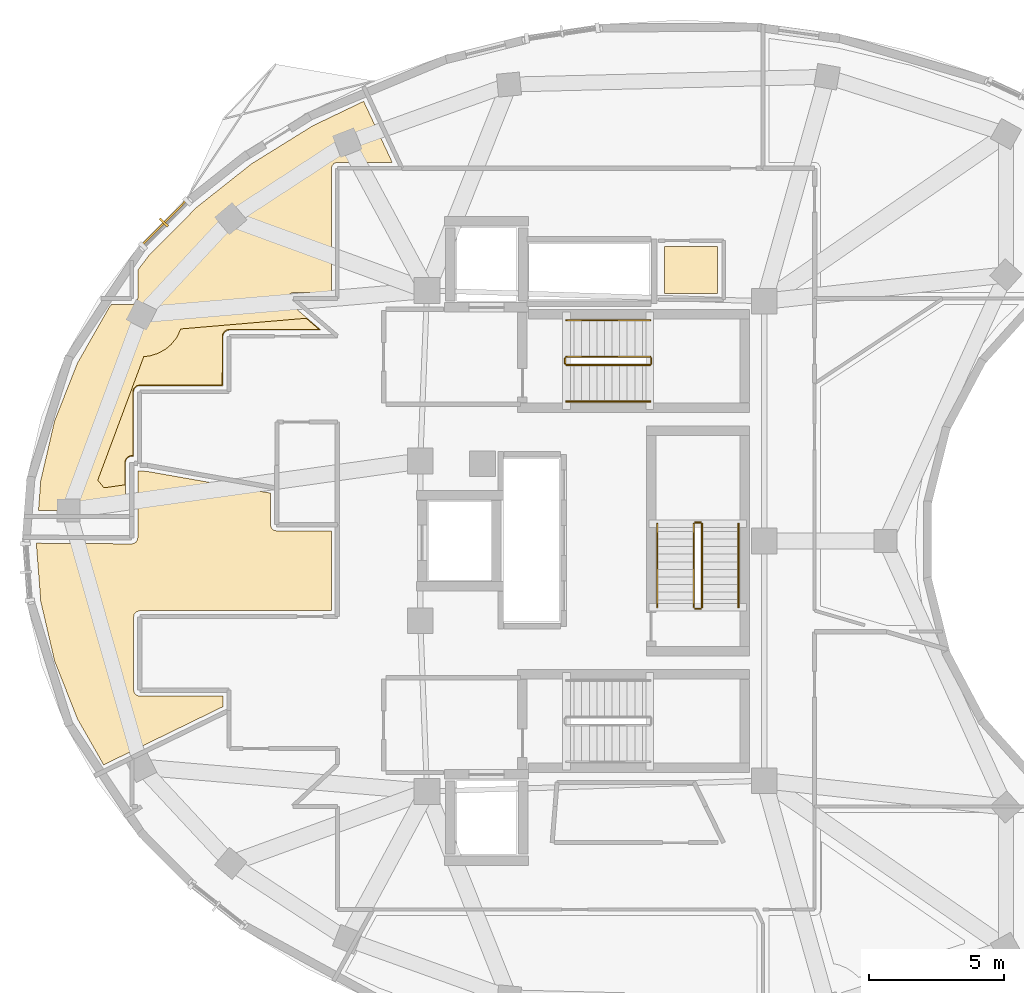
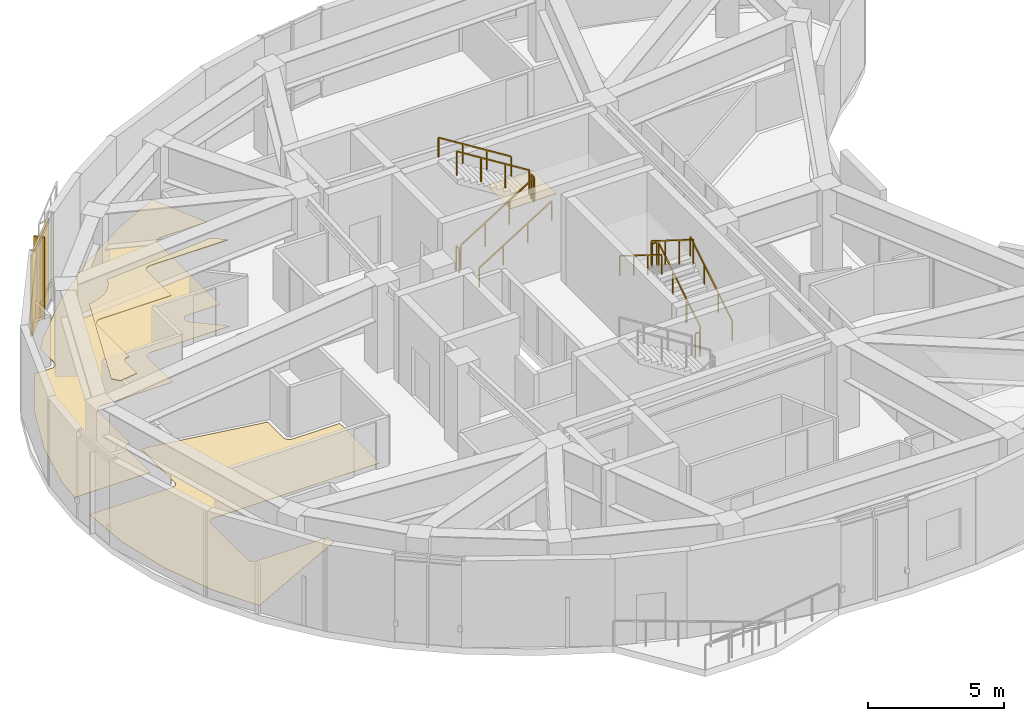
# One storey, part 11 of 12: 12 railings, 4 coverings, 2 shading devices.
"""IFC4 building model written with IfcOpenShell, lengths in metres."""

from ifc_helpers import new_model, si_unit, direction, frame, origin, origin_2d, place, context, subcontext, project, spatial, polyline, rectangle, outline, extrude, material, layer, layer_set, type_object, element, save


model = new_model("IFC4")

# Units and contexts
model_context = context("Model", 3, precision=1e-05, world=origin(), true_north=direction((0.0, 1.0)))
body_context = subcontext(model_context, "Body", "Model", "MODEL_VIEW")
ifc_project = project(units=[si_unit("LENGTHUNIT", "METRE"), si_unit("AREAUNIT", "SQUARE_METRE"), si_unit("VOLUMEUNIT", "CUBIC_METRE"), si_unit("PLANEANGLEUNIT", "RADIAN"), si_unit("MASSUNIT", "GRAM", prefix="KILO")], contexts=[model_context])

# Site, building, storey
site_placement = place(None, origin())
site = spatial("IfcSite", under=ifc_project, at=site_placement, CompositionType="ELEMENT")
building_placement = place(site_placement, origin())
building = spatial("IfcBuilding", under=site, at=building_placement, Name="Korentha Bioscience Tower", CompositionType="ELEMENT")
storey_placement = place(building_placement, frame((0.0, 0.0, 297.60009765625)))
storey = spatial("IfcBuildingStorey", under=building, at=storey_placement, Name="L68", CompositionType="ELEMENT", Elevation=297.60009765625)

# Covering
ifc_material_1 = material(Name="Vitrified Porcelain Tile", Category="ceramic")
ifc_layer_1 = layer(ifc_material_1, 0.014892578125, Name="Vitrified Porcelain Tile")
ifc_layer_set_1 = layer_set([ifc_layer_1], Name="Vitrified Porcelain Tile (FL-CER)")
covering_type_1 = type_object("IfcCoveringType", Name="Anti-Slip Ceramic Wet-Room Tile Flooring 15", PredefinedType="FLOORING", material=ifc_layer_set_1)
covering_1_placement = place(storey_placement, origin())
element("IfcCovering", 1, at=covering_1_placement, inside=storey, type_object=covering_type_1, Name="L68 Accessible Staff WC Floor Finish", PredefinedType="FLOORING", context=body_context, shape_type="SweptSolid", body=[
    extrude(outline(polyline([(33.8701171875, 36.1298828125), (33.8701171875, 37.8701171875), (35.830078125, 37.8701171875), (35.830078125, 36.1298828125), (33.8701171875, 36.1298828125)])), origin(), (0.0, 0.0, 1.0), 0.014892578125),
])

# Railings
ifc_material_2 = material(Name="Stainless Steel 304", Category="steel")
railing_type_1 = type_object("IfcRailingType", Name="Brushed Stainless Stair Handrail 900", PredefinedType="HANDRAIL", material=ifc_material_2)
railing_1_placement = place(storey_placement, frame((30.25, 32.14990234375, 0.1748046875)))
element("IfcRailing", 2, at=railing_1_placement, inside=storey, type_object=railing_type_1, Name="L68 ST-1 stair handrail 1", PredefinedType="HANDRAIL", context=body_context, shape_type="SweptSolid", body=[
    extrude(rectangle(XDim=0.048095703125, YDim=0.048095703125, at=origin_2d()), frame((0.0, 0.0, 0.8759765625), z_axis=(0.847998304005, 0.0, 0.529998940003), x_axis=(0.0, 1.0, 0.0)), (0.0, 0.0, 1.0), 3.632080078125),
    extrude(rectangle(XDim=0.0419921875, YDim=0.0419921875, at=origin_2d()), origin(), (0.0, 0.0, 1.0), 0.851806640625),
    extrude(rectangle(XDim=0.0419921875, YDim=0.0419921875, at=origin_2d()), frame((1.026611328125, 0.0, 0.6416015625)), (0.0, 0.0, 1.0), 0.851806640625),
    extrude(rectangle(XDim=0.0419921875, YDim=0.0419921875, at=origin_2d()), frame((2.053466796875, 0.0, 1.283447265625)), (0.0, 0.0, 1.0), 0.851806640625),
    extrude(rectangle(XDim=0.0419921875, YDim=0.0419921875, at=origin_2d()), frame((3.080078125, 0.0, 1.925048828125)), (0.0, 0.0, 1.0), 0.851806640625),
])
railing_2_placement = place(storey_placement, frame((33.330078125, 35.14990234375, 2.27490234375)))
element("IfcRailing", 3, at=railing_2_placement, inside=storey, type_object=railing_type_1, Name="L68 ST-1 stair handrail 2", PredefinedType="HANDRAIL", context=body_context, shape_type="SweptSolid", body=[
    extrude(rectangle(XDim=0.048095703125, YDim=0.048095703125, at=origin_2d()), frame((0.0, 0.0, 0.8759765625), z_axis=(-0.847998304005, 0.0, 0.529998940003), x_axis=(0.0, -1.0, 0.0)), (0.0, 0.0, 1.0), 3.632080078125),
    extrude(rectangle(XDim=0.0419921875, YDim=0.0419921875, at=origin_2d()), origin(), (0.0, 0.0, 1.0), 0.851806640625),
    extrude(rectangle(XDim=0.0419921875, YDim=0.0419921875, at=origin_2d()), frame((-1.026611328125, 0.0, 0.6416015625)), (0.0, 0.0, 1.0), 0.851806640625),
    extrude(rectangle(XDim=0.0419921875, YDim=0.0419921875, at=origin_2d()), frame((-2.053466796875, 0.0, 1.283447265625)), (0.0, 0.0, 1.0), 0.851806640625),
    extrude(rectangle(XDim=0.0419921875, YDim=0.0419921875, at=origin_2d()), frame((-3.080078125, 0.0, 1.925048828125)), (0.0, 0.0, 1.0), 0.851806640625),
])
railing_3_placement = place(storey_placement, frame((36.60009765625, 24.550048828125, 0.1748046875)))
element("IfcRailing", 4, at=railing_3_placement, inside=storey, type_object=railing_type_1, Name="L68 ST-3 stair handrail 1", PredefinedType="HANDRAIL", context=body_context, shape_type="SweptSolid", body=[
    extrude(rectangle(XDim=0.048095703125, YDim=0.048095703125, at=origin_2d()), frame((0.0, 0.0, 0.8759765625), z_axis=(0.0, 0.847979421464, 0.530029150871), x_axis=(-1.0, 0.0, 0.0)), (0.0, 0.0, 1.0), 3.632080078125),
    extrude(rectangle(XDim=0.0419921875, YDim=0.0419921875, at=origin_2d()), origin(), (0.0, 0.0, 1.0), 0.851806640625),
    extrude(rectangle(XDim=0.0419921875, YDim=0.0419921875, at=origin_2d()), frame((0.0, 1.026611328125, 0.6416015625)), (0.0, 0.0, 1.0), 0.851806640625),
    extrude(rectangle(XDim=0.0419921875, YDim=0.0419921875, at=origin_2d()), frame((0.0, 2.05322265625, 1.283447265625)), (0.0, 0.0, 1.0), 0.851806640625),
    extrude(rectangle(XDim=0.0419921875, YDim=0.0419921875, at=origin_2d()), frame((0.0, 3.079833984375, 1.925048828125)), (0.0, 0.0, 1.0), 0.851806640625),
])
railing_4_placement = place(storey_placement, frame((33.60009765625, 27.6298828125, 2.27490234375)))
element("IfcRailing", 5, at=railing_4_placement, inside=storey, type_object=railing_type_1, Name="L68 ST-3 stair handrail 2", PredefinedType="HANDRAIL", context=body_context, shape_type="SweptSolid", body=[
    extrude(rectangle(XDim=0.048095703125, YDim=0.048095703125, at=origin_2d()), frame((0.0, 0.0, 0.8759765625), z_axis=(0.0, -0.847979421464, 0.530029150871), x_axis=(1.0, 0.0, 0.0)), (0.0, 0.0, 1.0), 3.632080078125),
    extrude(rectangle(XDim=0.0419921875, YDim=0.0419921875, at=origin_2d()), origin(), (0.0, 0.0, 1.0), 0.851806640625),
    extrude(rectangle(XDim=0.0419921875, YDim=0.0419921875, at=origin_2d()), frame((0.0, -1.026611328125, 0.6416015625)), (0.0, 0.0, 1.0), 0.851806640625),
    extrude(rectangle(XDim=0.0419921875, YDim=0.0419921875, at=origin_2d()), frame((0.0, -2.05322265625, 1.283447265625)), (0.0, 0.0, 1.0), 0.851806640625),
    extrude(rectangle(XDim=0.0419921875, YDim=0.0419921875, at=origin_2d()), frame((0.0, -3.079833984375, 1.925048828125)), (0.0, 0.0, 1.0), 0.851806640625),
])

# Covering
ifc_material_3 = material(Name="Antimicrobial Mineral Fibre Board", Category="gypsum")
ifc_layer_2 = layer(ifc_material_3, 0.034912109375, Name="Antimicrobial Mineral Fibre Board")
ifc_layer_set_2 = layer_set([ifc_layer_2], Name="Antimicrobial Mineral Fibre Board (CL-MF35)")
covering_type_2 = type_object("IfcCoveringType", Name="Mineral-Fibre Cleanroom Suspended Ceiling 35", PredefinedType="CEILING", material=ifc_layer_set_2)
covering_2_placement = place(storey_placement, frame((0.0, 0.0, 3.864990234375)))
element("IfcCovering", 6, at=covering_2_placement, inside=storey, type_object=covering_type_2, Name="L68 PCR Amplification Cleanroom 11 Acoustic Ceiling", PredefinedType="CEILING", context=body_context, shape_type="SweptSolid", body=[
    extrude(outline(polyline([(17.7998046875, 34.81005859375), (17.7119140625, 34.794677734375), (17.625732421875, 34.742919921875), (17.565185546875, 34.66162109375), (17.542724609375, 34.587646484375), (17.5400390625, 32.760009765625), (14.48779296875, 32.759765625), (14.388427734375, 32.73486328125), (14.29150390625, 32.6552734375), (14.2548828125, 32.587158203125), (14.239990234375, 32.5), (14.239990234375, 30.1494140625), (14.158935546875, 30.1484375), (14.065185546875, 30.113037109375), (13.99169921875, 30.044921875), (13.94970703125, 29.955078125), (13.94189453125, 29.0712890625), (13.174072265625, 28.96337890625), (12.9453125, 29.2431640625), (14.643310546875, 33.805419921875), (14.859375, 33.830810546875), (15.150146484375, 33.919189453125), (15.418212890625, 34.062255859375), (15.540283203125, 34.15283203125), (15.653076171875, 34.255126953125), (15.845703125, 34.489990234375), (16.01416015625, 34.827880859375), (20.635498046875, 35.221923828125), (21.114501953125, 34.811279296875), (17.7998046875, 34.81005859375)])), origin(), (0.0, 0.0, 1.0), 0.034912109375),
])

# Railings
ifc_material_4 = material(Name="Painted Steel S275", Category="steel")
railing_type_2 = type_object("IfcRailingType", Name="Painted Steel Stair Well Guardrail 1100", PredefinedType="GUARDRAIL", material=ifc_material_4)
railing_5_placement = place(storey_placement, frame((30.25, 33.5, 0.1748046875)))
element("IfcRailing", 7, at=railing_5_placement, inside=storey, type_object=railing_type_2, Name="L68 ST-1 stair guard 1", PredefinedType="GUARDRAIL", context=body_context, shape_type="SweptSolid", body=[
    extrude(rectangle(XDim=0.048095703125, YDim=0.048095703125, at=origin_2d()), frame((0.0, 0.0, 1.076171875), z_axis=(0.847998304005, 0.0, 0.529998940003), x_axis=(0.0, 1.0, 0.0)), (0.0, 0.0, 1.0), 3.632080078125),
    extrude(rectangle(XDim=0.0419921875, YDim=0.0419921875, at=origin_2d()), origin(), (0.0, 0.0, 1.0), 1.052001953125),
    extrude(rectangle(XDim=0.0419921875, YDim=0.0419921875, at=origin_2d()), frame((1.026611328125, 0.0, 0.6416015625)), (0.0, 0.0, 1.0), 1.052001953125),
    extrude(rectangle(XDim=0.0419921875, YDim=0.0419921875, at=origin_2d()), frame((2.053466796875, 0.0, 1.283447265625)), (0.0, 0.0, 1.0), 1.052001953125),
    extrude(rectangle(XDim=0.0419921875, YDim=0.0419921875, at=origin_2d()), frame((3.080078125, 0.0, 1.925048828125)), (0.0, 0.0, 1.0), 1.052001953125),
])
railing_6_placement = place(storey_placement, frame((33.3798828125, 33.550048828125, 2.099853515625)))
element("IfcRailing", 8, at=railing_6_placement, inside=storey, type_object=railing_type_2, Name="L68 ST-1 stair guard 2", PredefinedType="GUARDRAIL", context=body_context, shape_type="SweptSolid", body=[
    extrude(rectangle(XDim=0.048095703125, YDim=0.048095703125, at=origin_2d()), frame((0.0, 0.0, 1.076171875), z_axis=(0.0, 1.0, 0.0), x_axis=(-1.0, 0.0, 0.0)), (0.0, 0.0, 1.0), 0.199951171875),
    extrude(rectangle(XDim=0.0419921875, YDim=0.0419921875, at=origin_2d()), origin(), (0.0, 0.0, 1.0), 1.052001953125),
    extrude(rectangle(XDim=0.0419921875, YDim=0.0419921875, at=origin_2d()), frame((0.0, 0.199951171875, 0.0)), (0.0, 0.0, 1.0), 1.052001953125),
])
railing_7_placement = place(storey_placement, frame((33.330078125, 33.800048828125, 2.27490234375)))
element("IfcRailing", 9, at=railing_7_placement, inside=storey, type_object=railing_type_2, Name="L68 ST-1 stair guard 3", PredefinedType="GUARDRAIL", context=body_context, shape_type="SweptSolid", body=[
    extrude(rectangle(XDim=0.048095703125, YDim=0.048095703125, at=origin_2d()), frame((0.0, 0.0, 1.076171875), z_axis=(-0.847998304005, 0.0, 0.529998940003), x_axis=(0.0, -1.0, 0.0)), (0.0, 0.0, 1.0), 3.632080078125),
    extrude(rectangle(XDim=0.0419921875, YDim=0.0419921875, at=origin_2d()), origin(), (0.0, 0.0, 1.0), 1.052001953125),
    extrude(rectangle(XDim=0.0419921875, YDim=0.0419921875, at=origin_2d()), frame((-1.026611328125, 0.0, 0.6416015625)), (0.0, 0.0, 1.0), 1.052001953125),
    extrude(rectangle(XDim=0.0419921875, YDim=0.0419921875, at=origin_2d()), frame((-2.053466796875, 0.0, 1.283447265625)), (0.0, 0.0, 1.0), 1.052001953125),
    extrude(rectangle(XDim=0.0419921875, YDim=0.0419921875, at=origin_2d()), frame((-3.080078125, 0.0, 1.925048828125)), (0.0, 0.0, 1.0), 1.052001953125),
])
railing_8_placement = place(storey_placement, frame((30.199951171875, 33.550048828125, 0.0)))
element("IfcRailing", 10, at=railing_8_placement, inside=storey, type_object=railing_type_2, Name="L68 ST-1 stair guard 4", PredefinedType="GUARDRAIL", context=body_context, shape_type="SweptSolid", body=[
    extrude(rectangle(XDim=0.048095703125, YDim=0.048095703125, at=origin_2d()), frame((0.0, 0.0, 1.076171875), z_axis=(0.0, 1.0, 0.0), x_axis=(-1.0, 0.0, 0.0)), (0.0, 0.0, 1.0), 0.199951171875),
    extrude(rectangle(XDim=0.0419921875, YDim=0.0419921875, at=origin_2d()), origin(), (0.0, 0.0, 1.0), 1.052001953125),
    extrude(rectangle(XDim=0.0419921875, YDim=0.0419921875, at=origin_2d()), frame((0.0, 0.199951171875, 0.0)), (0.0, 0.0, 1.0), 1.052001953125),
])
railing_9_placement = place(storey_placement, frame((35.25, 24.550048828125, 0.1748046875)))
element("IfcRailing", 11, at=railing_9_placement, inside=storey, type_object=railing_type_2, Name="L68 ST-3 stair guard 1", PredefinedType="GUARDRAIL", context=body_context, shape_type="SweptSolid", body=[
    extrude(rectangle(XDim=0.048095703125, YDim=0.048095703125, at=origin_2d()), frame((0.0, 0.0, 1.076171875), z_axis=(0.0, 0.847979421464, 0.530029150871), x_axis=(-1.0, 0.0, 0.0)), (0.0, 0.0, 1.0), 3.632080078125),
    extrude(rectangle(XDim=0.0419921875, YDim=0.0419921875, at=origin_2d()), origin(), (0.0, 0.0, 1.0), 1.052001953125),
    extrude(rectangle(XDim=0.0419921875, YDim=0.0419921875, at=origin_2d()), frame((0.0, 1.026611328125, 0.6416015625)), (0.0, 0.0, 1.0), 1.052001953125),
    extrude(rectangle(XDim=0.0419921875, YDim=0.0419921875, at=origin_2d()), frame((0.0, 2.05322265625, 1.283447265625)), (0.0, 0.0, 1.0), 1.052001953125),
    extrude(rectangle(XDim=0.0419921875, YDim=0.0419921875, at=origin_2d()), frame((0.0, 3.079833984375, 1.925048828125)), (0.0, 0.0, 1.0), 1.052001953125),
])
railing_10_placement = place(storey_placement, frame((35.199951171875, 27.679931640625, 2.099853515625)))
element("IfcRailing", 12, at=railing_10_placement, inside=storey, type_object=railing_type_2, Name="L68 ST-3 stair guard 2", PredefinedType="GUARDRAIL", context=body_context, shape_type="SweptSolid", body=[
    extrude(rectangle(XDim=0.048095703125, YDim=0.048095703125, at=origin_2d()), frame((0.0, 0.0, 1.076171875), z_axis=(-1.0, 0.0, 0.0), x_axis=(0.0, -1.0, 0.0)), (0.0, 0.0, 1.0), 0.199951171875),
    extrude(rectangle(XDim=0.0419921875, YDim=0.0419921875, at=origin_2d()), origin(), (0.0, 0.0, 1.0), 1.052001953125),
    extrude(rectangle(XDim=0.0419921875, YDim=0.0419921875, at=origin_2d()), frame((-0.199951171875, 0.0, 0.0)), (0.0, 0.0, 1.0), 1.052001953125),
])
railing_11_placement = place(storey_placement, frame((34.949951171875, 27.6298828125, 2.27490234375)))
element("IfcRailing", 13, at=railing_11_placement, inside=storey, type_object=railing_type_2, Name="L68 ST-3 stair guard 3", PredefinedType="GUARDRAIL", context=body_context, shape_type="SweptSolid", body=[
    extrude(rectangle(XDim=0.048095703125, YDim=0.048095703125, at=origin_2d()), frame((0.0, 0.0, 1.076171875), z_axis=(0.0, -0.847979421464, 0.530029150871), x_axis=(1.0, 0.0, 0.0)), (0.0, 0.0, 1.0), 3.632080078125),
    extrude(rectangle(XDim=0.0419921875, YDim=0.0419921875, at=origin_2d()), origin(), (0.0, 0.0, 1.0), 1.052001953125),
    extrude(rectangle(XDim=0.0419921875, YDim=0.0419921875, at=origin_2d()), frame((0.0, -1.026611328125, 0.6416015625)), (0.0, 0.0, 1.0), 1.052001953125),
    extrude(rectangle(XDim=0.0419921875, YDim=0.0419921875, at=origin_2d()), frame((0.0, -2.05322265625, 1.283447265625)), (0.0, 0.0, 1.0), 1.052001953125),
    extrude(rectangle(XDim=0.0419921875, YDim=0.0419921875, at=origin_2d()), frame((0.0, -3.079833984375, 1.925048828125)), (0.0, 0.0, 1.0), 1.052001953125),
])
railing_12_placement = place(storey_placement, frame((35.199951171875, 24.5, 0.0)))
element("IfcRailing", 14, at=railing_12_placement, inside=storey, type_object=railing_type_2, Name="L68 ST-3 stair guard 4", PredefinedType="GUARDRAIL", context=body_context, shape_type="SweptSolid", body=[
    extrude(rectangle(XDim=0.048095703125, YDim=0.048095703125, at=origin_2d()), frame((0.0, 0.0, 1.076171875), z_axis=(-1.0, 0.0, 0.0), x_axis=(0.0, -1.0, 0.0)), (0.0, 0.0, 1.0), 0.199951171875),
    extrude(rectangle(XDim=0.0419921875, YDim=0.0419921875, at=origin_2d()), origin(), (0.0, 0.0, 1.0), 1.052001953125),
    extrude(rectangle(XDim=0.0419921875, YDim=0.0419921875, at=origin_2d()), frame((-0.199951171875, 0.0, 0.0)), (0.0, 0.0, 1.0), 1.052001953125),
])

# Shading device
ifc_material_5 = material(Name="Perforated Stone-Ceramic Composite", Category="masonry")
ifc_layer_3 = layer(ifc_material_5, 0.06494140625, Name="Perforated Stone-Ceramic Composite")
ifc_layer_set_3 = layer_set([ifc_layer_3], Name="Perforated Stone-Ceramic Composite (CS-01)")
shading_device_type_1 = type_object("IfcShadingDeviceType", Name="Perforated Stone-Ceramic Solar Screen Panel 65", PredefinedType="USERDEFINED", material=ifc_layer_set_3)
shading_device_1_placement = place(storey_placement, frame((15.397216796875, 38.748779296875, 0.0), z_axis=(0.0, 0.0, 1.0), x_axis=(-0.703813123431, -0.710385168262, 0.0)))
element("IfcShadingDevice", 15, at=shading_device_1_placement, inside=storey, type_object=shading_device_type_1, Name="CW-L68-13 Perforated Stone-Ceramic Solar Screen", ObjectType="SCREEN", PredefinedType="USERDEFINED", context=body_context, shape_type="SweptSolid", body=[
    extrude(rectangle(XDim=2.467529296875, YDim=0.06494140625, at=origin_2d()), origin(), (0.0, 0.0, 1.0), 3.64990234375),
])

# Coverings
ifc_material_6 = material(Name="Chemical-Resistant Epoxy Resin", Category="polymer")
ifc_layer_4 = layer(ifc_material_6, 0.011962890625, Name="Chemical-Resistant Epoxy Resin")
ifc_layer_set_4 = layer_set([ifc_layer_4], Name="Chemical-Resistant Epoxy Resin (FL-EPX)")
covering_type_3 = type_object("IfcCoveringType", Name="Seamless Epoxy Laboratory Flooring 12", PredefinedType="FLOORING", material=ifc_layer_set_4)
covering_3_placement = place(storey_placement, origin())
element("IfcCovering", 16, at=covering_3_placement, inside=storey, type_object=covering_type_3, Name="L68 Biospecimen Archive Store 01 Floor Finish", PredefinedType="FLOORING", context=body_context, shape_type="SweptSolid", body=[
    extrude(outline(polyline([(14.1962890625, 26.892578125), (14.273193359375, 26.905517578125), (14.34912109375, 26.951171875), (14.4013671875, 27.022705078125), (14.421875, 27.1083984375), (14.422119140625, 29.58349609375), (14.761962890625, 29.570068359375), (19.320068359375, 28.766357421875), (19.3203125, 27.588134765625), (19.3525390625, 27.482177734375), (19.431396484375, 27.403076171875), (19.550048828125, 27.3701171875), (21.570068359375, 27.3701171875), (21.570068359375, 24.429931640625), (14.5, 24.429931640625), (14.36328125, 24.385009765625), (14.292236328125, 24.298828125), (14.27001953125, 24.199951171875), (14.27001953125, 21.5), (14.28369140625, 21.422119140625), (14.329833984375, 21.34521484375), (14.402099609375, 21.2919921875), (14.5, 21.27001953125), (17.570068359375, 21.27001953125), (17.570068359375, 20.88427734375), (13.162353515625, 18.734619140625), (12.19482421875, 20.4326171875), (11.350830078125, 22.5712890625), (10.84033203125, 24.7705078125), (10.67578125, 26.917236328125), (14.1962890625, 26.892578125)])), origin(), (0.0, 0.0, 1.0), 0.011962890625),
])
covering_4_placement = place(storey_placement, origin())
element("IfcCovering", 17, at=covering_4_placement, inside=storey, type_object=covering_type_3, Name="L68 PCR Amplification Cleanroom 11 Floor Finish", PredefinedType="FLOORING", context=body_context, shape_type="SweptSolid", body=[
    extrude(outline(polyline([(10.84033203125, 29.229248046875), (11.3505859375, 31.428466796875), (12.194580078125, 33.567138671875), (13.361572265625, 35.615234375), (13.44775390625, 35.727783203125), (14.21533203125, 35.728759765625), (14.321044921875, 35.764892578125), (14.385009765625, 35.82861328125), (14.421875, 35.9462890625), (14.422119140625, 37.00146484375), (14.836181640625, 37.54296875), (16.598876953125, 39.322265625), (18.6240234375, 40.925537109375), (20.8837890625, 42.3291015625), (22.7607421875, 43.230712890625), (23.81494140625, 40.97998046875), (21.7880859375, 40.979736328125), (21.663330078125, 40.93505859375), (21.591796875, 40.847900390625), (21.570068359375, 40.75), (21.570068359375, 36.172119140625), (20.146484375, 36.169677734375), (20.08349609375, 36.15087890625), (20.013916015625, 36.099853515625), (19.97705078125, 36.045654296875), (19.955078125, 35.962158203125), (19.966796875, 35.8759765625), (20.02490234375, 35.785400390625), (21.195556640625, 34.781494140625), (17.7998046875, 34.780029296875), (17.722900390625, 34.7666015625), (17.615478515625, 34.6875), (17.5703125, 34.561767578125), (17.570068359375, 32.72998046875), (14.5, 32.72998046875), (14.422119140625, 32.71630859375), (14.34521484375, 32.670166015625), (14.2919921875, 32.597900390625), (14.270263671875, 32.5107421875), (14.27001953125, 30.11376953125), (14.164794921875, 30.119140625), (14.080810546875, 30.087646484375), (14.004150390625, 30.009521484375), (13.97314453125, 29.914306640625), (13.971923828125, 28.1220703125), (10.755615234375, 28.1220703125), (10.84033203125, 29.229248046875)])), origin(), (0.0, 0.0, 1.0), 0.011962890625),
])

# Shading device
ifc_material_7 = material(Name="Honed Travertine Limestone", Category="masonry")
ifc_layer_5 = layer(ifc_material_7, 0.080078125, Name="Honed Travertine Limestone")
ifc_layer_set_5 = layer_set([ifc_layer_5], Name="Honed Travertine Limestone (CS-02)")
shading_device_type_2 = type_object("IfcShadingDeviceType", Name="Vertical Honed Limestone Sunshade Fin 80x420", PredefinedType="USERDEFINED", material=ifc_layer_set_5)
shading_device_2_placement = place(storey_placement, frame((15.383056640625, 38.7626953125, 0.0), z_axis=(0.0, 0.0, 1.0), x_axis=(-0.703813123431, -0.710385168262, 0.0)))
element("IfcShadingDevice", 18, at=shading_device_2_placement, inside=storey, type_object=shading_device_type_2, Name="CW-L68-13 Limestone Sunshade Fin", ObjectType="SCREEN", PredefinedType="USERDEFINED", context=body_context, shape_type="SweptSolid", body=[
    extrude(rectangle(XDim=0.080078125, YDim=0.419921875, at=origin_2d()), origin(), (0.0, 0.0, 1.0), 3.64990234375),
])

save(model, "model.ifc")
